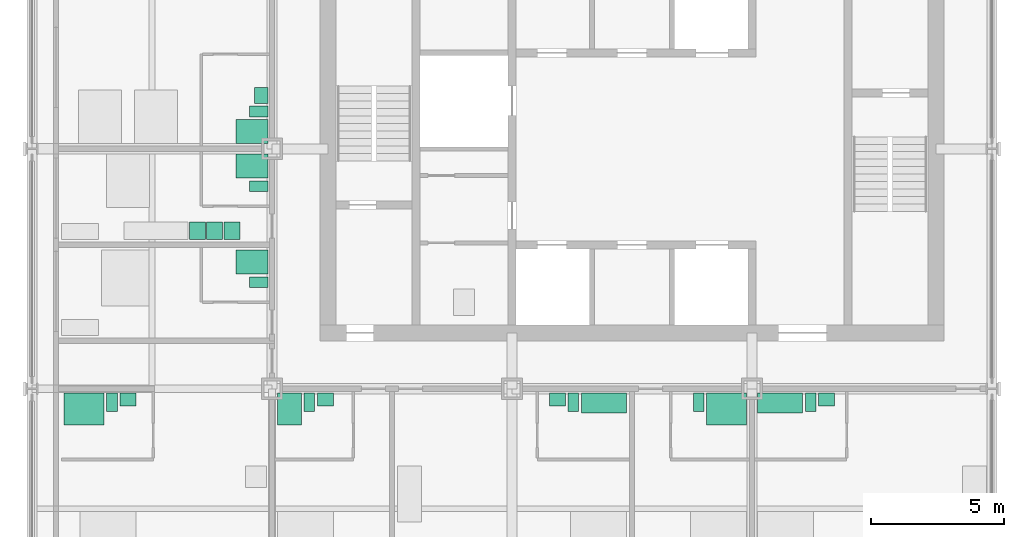
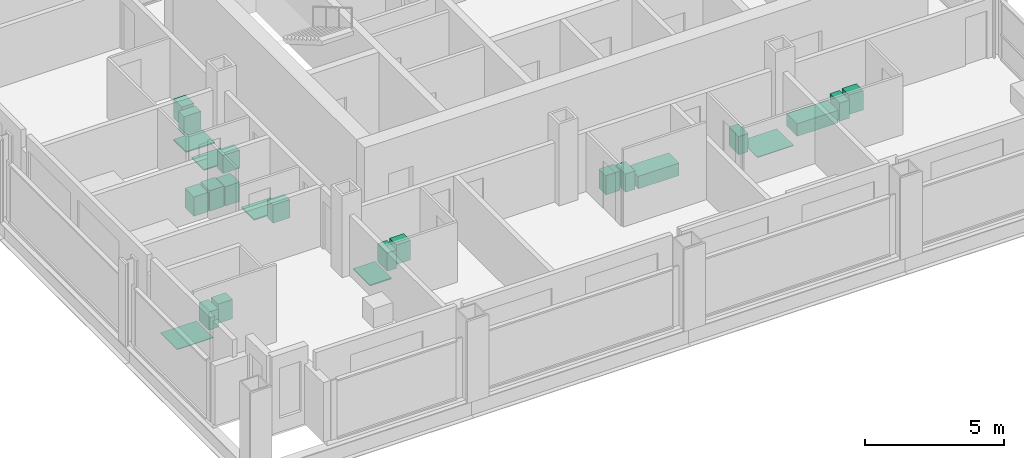
# One storey, part 11 of 12: 21 sanitary terminals, 3 electric appliances.
"""IFC4 building model written with IfcOpenShell, lengths in metres."""

import ifcopenshell
import ifcopenshell.guid

model = None  # the IFC model being written
_history = None  # IfcOwnerHistory: only IFC2X3 demands one
_inside = {}  # id of a spatial element -> (the spatial element, [elements in it])
_under = {}  # id of a project, library or spatial element -> (it, [spatial elements below it])
_declared = {}  # id of a project -> (the project, [libraries it declares])
_typed = {}  # id of a type object -> (the type object, [elements of that type])
_made_of = {}  # id of a material, layer set ... -> (it, [elements and type objects made of it])


def new_model(schema):
    """Start an empty IFC model of exactly this schema.

    Asked for "IFC4X3", IfcOpenShell would pick the latest addendum, in which some entities
    have other attributes; the version numbers below select the first issue.
    IFC2X3 requires an IfcOwnerHistory on every rooted entity: one is made here for all.
    """
    global model, _history
    if schema == "IFC4X3":
        model = ifcopenshell.file(schema_version=(4, 3, 0, 0))
    else:
        model = ifcopenshell.file(schema=schema)
    _inside.clear()
    _under.clear()
    _declared.clear()
    _typed.clear()
    _made_of.clear()
    _history = None
    if model.schema == "IFC2X3":
        org = make("IfcOrganization", Name="unknown")
        user = make(
            "IfcPersonAndOrganization",
            ThePerson=make("IfcPerson", FamilyName="unknown"),
            TheOrganization=org,
        )
        app = make(
            "IfcApplication",
            ApplicationDeveloper=org,
            Version="unknown",
            ApplicationFullName="unknown",
            ApplicationIdentifier="unknown",
        )
        _history = make(
            "IfcOwnerHistory",
            OwningUser=user,
            OwningApplication=app,
            ChangeAction="ADDED",
            CreationDate=0,
        )
    return model


def make(cls, **values):
    """One entity of the class cls with the attributes given. An attribute that is None is left unset."""
    return model.create_entity(
        cls, **{name: value for name, value in values.items() if value is not None}
    )


def rooted(cls, **values):
    """An entity with a GlobalId (a new one), such as an element, a storey or a relation."""
    return make(cls, GlobalId=ifcopenshell.guid.new(), OwnerHistory=_history, **values)


def si_unit(unit_type, name, prefix=None):
    """IfcSIUnit, for example si_unit("LENGTHUNIT", "METRE", prefix="MILLI")."""
    return make("IfcSIUnit", UnitType=unit_type, Prefix=prefix, Name=name)


def assignment(units):
    """IfcUnitAssignment: the units of a project."""
    return None if units is None else make("IfcUnitAssignment", Units=units)


def point(xyz):
    """IfcCartesianPoint."""
    return None if xyz is None else make("IfcCartesianPoint", Coordinates=xyz)


def direction(xyz):
    """IfcDirection."""
    return None if xyz is None else make("IfcDirection", DirectionRatios=xyz)


def frame(location, z_axis=None, x_axis=None):
    """IfcAxis2Placement3D, a coordinate frame: its origin and axes. An axis left out is left unset."""
    return make(
        "IfcAxis2Placement3D",
        Location=point(location),
        Axis=direction(z_axis),
        RefDirection=direction(x_axis),
    )


def frame_2d(location, x_axis=None):
    """IfcAxis2Placement2D, a coordinate frame in the plane: its origin and x axis."""
    return make(
        "IfcAxis2Placement2D", Location=point(location), RefDirection=direction(x_axis)
    )


def origin():
    """The frame at (0, 0, 0) with its axes left unset."""
    return frame((0.0, 0.0, 0.0))


def origin_2d():
    """The frame at (0, 0) in the plane with its x axis left unset."""
    return frame_2d((0.0, 0.0))


def place(relative_to, where):
    """IfcLocalPlacement: puts the frame where relative to a parent placement (None: the world)."""
    return make(
        "IfcLocalPlacement", PlacementRelTo=relative_to, RelativePlacement=where
    )


def context(
    kind, dimensions, precision=None, world=None, true_north=None, identifier=None
):
    """IfcGeometricRepresentationContext, for example the 3D "Model" context."""
    return make(
        "IfcGeometricRepresentationContext",
        ContextIdentifier=identifier,
        ContextType=kind,
        CoordinateSpaceDimension=dimensions,
        Precision=precision,
        WorldCoordinateSystem=world,
        TrueNorth=true_north,
    )


def subcontext(parent, identifier, kind, view, scale=None):
    """IfcGeometricRepresentationSubContext, for example "Body" below "Model"."""
    return make(
        "IfcGeometricRepresentationSubContext",
        ContextIdentifier=identifier,
        ContextType=kind,
        ParentContext=parent,
        TargetScale=scale,
        TargetView=view,
    )


def project(units=None, contexts=None):
    """IfcProject with its units and contexts."""
    return rooted(
        "IfcProject",
        Name="project",
        RepresentationContexts=contexts,
        UnitsInContext=assignment(units),
    )


def spatial(cls, under=None, at=None, **own):
    """A site, building, storey or space (cls), placed at a placement, below another one or the project."""
    s = rooted(cls, ObjectPlacement=at, **own)
    if under is not None:
        _under.setdefault(under.id(), (under, []))[1].append(s)
    return s


def profile(cls, at=None, kind="AREA", **sizes):
    """A parametric profile (cls). Its sizes go by their IFC names, for example OverallWidth=200.0."""
    return make(cls, ProfileType=kind, Position=at, **sizes)


def rectangle(**sizes):
    """IfcRectangleProfileDef."""
    return profile("IfcRectangleProfileDef", **sizes)


def extrude(swept, where, along, depth):
    """IfcExtrudedAreaSolid: the profile swept, set in the frame where, extruded along a direction by depth."""
    return make(
        "IfcExtrudedAreaSolid",
        SweptArea=swept,
        Position=where,
        ExtrudedDirection=direction(along),
        Depth=depth,
    )


def shape(context_of_items, identifier, shape_type, items):
    """IfcShapeRepresentation: the items that make up one representation, for example the "Body"."""
    return make(
        "IfcShapeRepresentation",
        ContextOfItems=context_of_items,
        RepresentationIdentifier=identifier,
        RepresentationType=shape_type,
        Items=items,
    )


def made_of(thing, what):
    """Note that an element or type object is made of a material, layer set ...; save() writes the relation."""
    if what is not None:
        _made_of.setdefault(what.id(), (what, []))[1].append(thing)
    return thing


def element(
    cls,
    number,
    at=None,
    inside=None,
    cuts=None,
    type_object=None,
    material=None,
    context=None,
    identifier="Body",
    shape_type=None,
    held_by="IfcProductDefinitionShape",
    body=None,
    shapes=None,
    **own,
):
    """One element of the class cls, such as IfcWall. Its Tag is "e" and its number.

    at: its placement. inside: the storey or other place that contains it. cuts: it is an
    opening in that element (IfcRelVoidsElement). A single representation is given by context,
    identifier, shape_type and body (its items); several are given by shapes. held_by: the class
    of the entity that holds the representations. save() writes the other relations.
    """
    e = rooted(cls, Tag="e%d" % number, ObjectPlacement=at, **own)
    if body is not None:
        shapes = [shape(context, identifier, shape_type, body)]
    if shapes is not None:
        e.Representation = make(held_by, Representations=shapes)
    if inside is not None:
        _inside.setdefault(inside.id(), (inside, []))[1].append(e)
    if cuts is not None:
        rooted(
            "IfcRelVoidsElement", RelatingBuildingElement=cuts, RelatedOpeningElement=e
        )
    if type_object is not None:
        _typed.setdefault(type_object.id(), (type_object, []))[1].append(e)
    return made_of(e, material)


def aggregate(whole, parts):
    """IfcRelAggregates: a whole, such as a stair, and the parts it consists of."""
    return rooted("IfcRelAggregates", RelatingObject=whole, RelatedObjects=parts)


def save(model, path):
    """Write the relations noted so far, then the file.

    IfcRelAggregates (storeys below a building ...), IfcRelContainedInSpatialStructure (elements
    in a storey), IfcRelDefinesByType, IfcRelAssociatesMaterial and IfcRelDeclares: one each for
    every whole, place, type object, material and project.
    """
    for whole, parts in _under.values():
        aggregate(whole, parts)
    for where, things in _inside.values():
        rooted(
            "IfcRelContainedInSpatialStructure",
            RelatedElements=things,
            RelatingStructure=where,
        )
    for kind, things in _typed.values():
        rooted("IfcRelDefinesByType", RelatedObjects=things, RelatingType=kind)
    for what, things in _made_of.values():
        rooted("IfcRelAssociatesMaterial", RelatedObjects=things, RelatingMaterial=what)
    for by, libraries in _declared.values():
        rooted("IfcRelDeclares", RelatingContext=by, RelatedDefinitions=libraries)
    model.write(path)


model = new_model("IFC4")

# Units and contexts
model_context = context("Model", 3, precision=1e-05, world=origin(), true_north=direction((0.0, 1.0)))
body_context = subcontext(model_context, "Body", "Model", "MODEL_VIEW")
ifc_project = project(units=[si_unit("LENGTHUNIT", "METRE"), si_unit("AREAUNIT", "SQUARE_METRE"), si_unit("VOLUMEUNIT", "CUBIC_METRE"), si_unit("PLANEANGLEUNIT", "RADIAN"), si_unit("MASSUNIT", "GRAM", prefix="KILO")], contexts=[model_context])

# Site, building, storey
site_placement = place(None, origin())
site = spatial("IfcSite", under=ifc_project, at=site_placement, CompositionType="ELEMENT")
building_placement = place(site_placement, origin())
building = spatial("IfcBuilding", under=site, at=building_placement, Name="Loomwork Tower", CompositionType="ELEMENT")
storey_placement = place(building_placement, frame((0.0, 0.0, 230.199951171875)))
storey = spatial("IfcBuildingStorey", under=building, at=storey_placement, Name="L63", CompositionType="ELEMENT", Elevation=230.199951171875)

# Sanitary terminals
sanitary_terminal_1_placement = place(storey_placement, frame((1.949951171875, 8.25, 0.0), z_axis=(0.0, 0.0, 1.0), x_axis=(1.0, 0.0, 0.0)))
element("IfcSanitaryTerminal", 1, at=sanitary_terminal_1_placement, inside=storey, Name="Roll-in shower floor L63", PredefinedType="SHOWER", context=body_context, shape_type="SweptSolid", body=[
    extrude(rectangle(XDim=1.5, YDim=1.199951171875, at=origin_2d()), origin(), (0.0, 0.0, 1.0), 0.030029296875),
])
sanitary_terminal_2_placement = place(storey_placement, frame((3.0, 8.5, 0.0), z_axis=(0.0, 0.0, 1.0), x_axis=(1.0, 0.0, 0.0)))
element("IfcSanitaryTerminal", 2, at=sanitary_terminal_2_placement, inside=storey, Name="WC L63", PredefinedType="TOILETPAN", context=body_context, shape_type="SweptSolid", body=[
    extrude(rectangle(XDim=0.39990234375, YDim=0.699951171875, at=origin_2d()), origin(), (0.0, 0.0, 1.0), 0.800048828125),
])
sanitary_terminal_3_placement = place(storey_placement, frame((3.60009765625, 8.60009765625, 0.0), z_axis=(0.0, 0.0, 1.0), x_axis=(1.0, 0.0, 0.0)))
element("IfcSanitaryTerminal", 3, at=sanitary_terminal_3_placement, inside=storey, Name="Basin vanity L63", PredefinedType="WASHHANDBASIN", context=body_context, shape_type="SweptSolid", body=[
    extrude(rectangle(XDim=0.60009765625, YDim=0.5, at=origin_2d()), origin(), (0.0, 0.0, 1.0), 0.85009765625),
])
sanitary_terminal_4_placement = place(storey_placement, frame((9.64990234375, 8.25, 0.0), z_axis=(0.0, 0.0, 1.0), x_axis=(1.0, 0.0, 0.0)))
element("IfcSanitaryTerminal", 4, at=sanitary_terminal_4_placement, inside=storey, Name="Shower tray L63", PredefinedType="SHOWER", context=body_context, shape_type="SweptSolid", body=[
    extrude(rectangle(XDim=0.89990234375, YDim=1.199951171875, at=origin_2d()), origin(), (0.0, 0.0, 1.0), 0.050048828125),
])
sanitary_terminal_5_placement = place(storey_placement, frame((10.39990234375, 8.5, 0.0), z_axis=(0.0, 0.0, 1.0), x_axis=(1.0, 0.0, 0.0)))
element("IfcSanitaryTerminal", 5, at=sanitary_terminal_5_placement, inside=storey, Name="WC L63", PredefinedType="TOILETPAN", context=body_context, shape_type="SweptSolid", body=[
    extrude(rectangle(XDim=0.39990234375, YDim=0.699951171875, at=origin_2d()), origin(), (0.0, 0.0, 1.0), 0.800048828125),
])
sanitary_terminal_6_placement = place(storey_placement, frame((11.0, 8.60009765625, 0.0), z_axis=(0.0, 0.0, 1.0), x_axis=(1.0, 0.0, 0.0)))
element("IfcSanitaryTerminal", 6, at=sanitary_terminal_6_placement, inside=storey, Name="Basin vanity L63", PredefinedType="WASHHANDBASIN", context=body_context, shape_type="SweptSolid", body=[
    extrude(rectangle(XDim=0.60009765625, YDim=0.5, at=origin_2d()), origin(), (0.0, 0.0, 1.0), 0.85009765625),
])
sanitary_terminal_7_placement = place(storey_placement, frame((21.449951171875, 8.47509765625, 0.0), z_axis=(0.0, 0.0, 1.0), x_axis=(1.0, 0.0, 0.0)))
element("IfcSanitaryTerminal", 7, at=sanitary_terminal_7_placement, inside=storey, Name="Bath L63", PredefinedType="BATH", context=body_context, shape_type="SweptSolid", body=[
    extrude(rectangle(XDim=1.699951171875, YDim=0.75, at=origin_2d()), origin(), (0.0, 0.0, 1.0), 0.550048828125),
])
sanitary_terminal_8_placement = place(storey_placement, frame((20.300048828125, 8.5, 0.0), z_axis=(0.0, 0.0, 1.0), x_axis=(1.0, 0.0, 0.0)))
element("IfcSanitaryTerminal", 8, at=sanitary_terminal_8_placement, inside=storey, Name="WC L63", PredefinedType="TOILETPAN", context=body_context, shape_type="SweptSolid", body=[
    extrude(rectangle(XDim=0.39990234375, YDim=0.699951171875, at=origin_2d()), origin(), (0.0, 0.0, 1.0), 0.800048828125),
])
sanitary_terminal_9_placement = place(storey_placement, frame((19.699951171875, 8.60009765625, 0.0), z_axis=(0.0, 0.0, 1.0), x_axis=(1.0, 0.0, 0.0)))
element("IfcSanitaryTerminal", 9, at=sanitary_terminal_9_placement, inside=storey, Name="Basin vanity L63", PredefinedType="WASHHANDBASIN", context=body_context, shape_type="SweptSolid", body=[
    extrude(rectangle(XDim=0.60009765625, YDim=0.5, at=origin_2d()), origin(), (0.0, 0.0, 1.0), 0.85009765625),
])
sanitary_terminal_10_placement = place(storey_placement, frame((26.050048828125, 8.25, 0.0), z_axis=(0.0, 0.0, 1.0), x_axis=(1.0, 0.0, 0.0)))
element("IfcSanitaryTerminal", 10, at=sanitary_terminal_10_placement, inside=storey, Name="Roll-in shower floor L63", PredefinedType="SHOWER", context=body_context, shape_type="SweptSolid", body=[
    extrude(rectangle(XDim=1.5, YDim=1.199951171875, at=origin_2d()), origin(), (0.0, 0.0, 1.0), 0.030029296875),
])
sanitary_terminal_11_placement = place(storey_placement, frame((25.0, 8.5, 0.0), z_axis=(0.0, 0.0, 1.0), x_axis=(1.0, 0.0, 0.0)))
element("IfcSanitaryTerminal", 11, at=sanitary_terminal_11_placement, inside=storey, Name="WC L63", PredefinedType="TOILETPAN", context=body_context, shape_type="SweptSolid", body=[
    extrude(rectangle(XDim=0.39990234375, YDim=0.699951171875, at=origin_2d()), origin(), (0.0, 0.0, 1.0), 0.800048828125),
])
sanitary_terminal_12_placement = place(storey_placement, frame((28.050048828125, 8.47509765625, 0.0), z_axis=(0.0, 0.0, 1.0), x_axis=(1.0, 0.0, 0.0)))
element("IfcSanitaryTerminal", 12, at=sanitary_terminal_12_placement, inside=storey, Name="Bath L63", PredefinedType="BATH", context=body_context, shape_type="SweptSolid", body=[
    extrude(rectangle(XDim=1.699951171875, YDim=0.75, at=origin_2d()), origin(), (0.0, 0.0, 1.0), 0.550048828125),
])
sanitary_terminal_13_placement = place(storey_placement, frame((29.199951171875, 8.5, 0.0), z_axis=(0.0, 0.0, 1.0), x_axis=(1.0, 0.0, 0.0)))
element("IfcSanitaryTerminal", 13, at=sanitary_terminal_13_placement, inside=storey, Name="WC L63", PredefinedType="TOILETPAN", context=body_context, shape_type="SweptSolid", body=[
    extrude(rectangle(XDim=0.39990234375, YDim=0.699951171875, at=origin_2d()), origin(), (0.0, 0.0, 1.0), 0.800048828125),
])
sanitary_terminal_14_placement = place(storey_placement, frame((29.800048828125, 8.60009765625, 0.0), z_axis=(0.0, 0.0, 1.0), x_axis=(1.0, 0.0, 0.0)))
element("IfcSanitaryTerminal", 14, at=sanitary_terminal_14_placement, inside=storey, Name="Basin vanity L63", PredefinedType="WASHHANDBASIN", context=body_context, shape_type="SweptSolid", body=[
    extrude(rectangle(XDim=0.60009765625, YDim=0.5, at=origin_2d()), origin(), (0.0, 0.0, 1.0), 0.85009765625),
])
sanitary_terminal_15_placement = place(storey_placement, frame((8.25, 13.75, 0.0), z_axis=(0.0, 0.0, 1.0), x_axis=(1.0, 0.0, 0.0)))
element("IfcSanitaryTerminal", 15, at=sanitary_terminal_15_placement, inside=storey, Name="Shower tray L63", PredefinedType="SHOWER", context=body_context, shape_type="SweptSolid", body=[
    extrude(rectangle(XDim=1.199951171875, YDim=0.89990234375, at=origin_2d()), origin(), (0.0, 0.0, 1.0), 0.050048828125),
])
sanitary_terminal_16_placement = place(storey_placement, frame((8.5, 13.0, 0.0), z_axis=(0.0, 0.0, 1.0), x_axis=(1.0, 0.0, 0.0)))
element("IfcSanitaryTerminal", 16, at=sanitary_terminal_16_placement, inside=storey, Name="WC L63", PredefinedType="TOILETPAN", context=body_context, shape_type="SweptSolid", body=[
    extrude(rectangle(XDim=0.699951171875, YDim=0.39990234375, at=origin_2d()), origin(), (0.0, 0.0, 1.0), 0.800048828125),
])
sanitary_terminal_17_placement = place(storey_placement, frame((8.25, 17.35009765625, 0.0), z_axis=(0.0, 0.0, 1.0), x_axis=(1.0, 0.0, 0.0)))
element("IfcSanitaryTerminal", 17, at=sanitary_terminal_17_placement, inside=storey, Name="Shower tray L63", PredefinedType="SHOWER", context=body_context, shape_type="SweptSolid", body=[
    extrude(rectangle(XDim=1.199951171875, YDim=0.89990234375, at=origin_2d()), origin(), (0.0, 0.0, 1.0), 0.050048828125),
])
sanitary_terminal_18_placement = place(storey_placement, frame((8.5, 16.60009765625, 0.0), z_axis=(0.0, 0.0, 1.0), x_axis=(1.0, 0.0, 0.0)))
element("IfcSanitaryTerminal", 18, at=sanitary_terminal_18_placement, inside=storey, Name="WC L63", PredefinedType="TOILETPAN", context=body_context, shape_type="SweptSolid", body=[
    extrude(rectangle(XDim=0.699951171875, YDim=0.39990234375, at=origin_2d()), origin(), (0.0, 0.0, 1.0), 0.800048828125),
])

# Electric appliances
electric_appliance_1_placement = place(storey_placement, frame((7.5, 14.925048828125, 0.0), z_axis=(0.0, 0.0, 1.0), x_axis=(1.0, 0.0, 0.0)))
element("IfcElectricAppliance", 19, at=electric_appliance_1_placement, inside=storey, Name="Refrigerator L63", PredefinedType="REFRIGERATOR", context=body_context, shape_type="SweptSolid", body=[
    extrude(rectangle(XDim=0.60009765625, YDim=0.64990234375, at=origin_2d()), origin(), (0.0, 0.0, 1.0), 0.85009765625),
])
electric_appliance_2_placement = place(storey_placement, frame((6.85009765625, 14.925048828125, 0.0), z_axis=(0.0, 0.0, 1.0), x_axis=(1.0, 0.0, 0.0)))
element("IfcElectricAppliance", 20, at=electric_appliance_2_placement, inside=storey, Name="Two-ring cooktop and oven L63", PredefinedType="ELECTRICCOOKER", context=body_context, shape_type="SweptSolid", body=[
    extrude(rectangle(XDim=0.60009765625, YDim=0.64990234375, at=origin_2d()), origin(), (0.0, 0.0, 1.0), 0.89990234375),
])
electric_appliance_3_placement = place(storey_placement, frame((6.199951171875, 14.925048828125, 0.0), z_axis=(0.0, 0.0, 1.0), x_axis=(1.0, 0.0, 0.0)))
element("IfcElectricAppliance", 21, at=electric_appliance_3_placement, inside=storey, Name="Dishwasher L63", PredefinedType="DISHWASHER", context=body_context, shape_type="SweptSolid", body=[
    extrude(rectangle(XDim=0.60009765625, YDim=0.64990234375, at=origin_2d()), origin(), (0.0, 0.0, 1.0), 0.85009765625),
])

# Sanitary terminals
sanitary_terminal_19_placement = place(storey_placement, frame((8.25, 18.64990234375, 0.0), z_axis=(0.0, 0.0, 1.0), x_axis=(1.0, 0.0, 0.0)))
element("IfcSanitaryTerminal", 22, at=sanitary_terminal_19_placement, inside=storey, Name="Shower tray L63", PredefinedType="SHOWER", context=body_context, shape_type="SweptSolid", body=[
    extrude(rectangle(XDim=1.199951171875, YDim=0.89990234375, at=origin_2d()), origin(), (0.0, 0.0, 1.0), 0.050048828125),
])
sanitary_terminal_20_placement = place(storey_placement, frame((8.5, 19.39990234375, 0.0), z_axis=(0.0, 0.0, 1.0), x_axis=(1.0, 0.0, 0.0)))
element("IfcSanitaryTerminal", 23, at=sanitary_terminal_20_placement, inside=storey, Name="WC L63", PredefinedType="TOILETPAN", context=body_context, shape_type="SweptSolid", body=[
    extrude(rectangle(XDim=0.699951171875, YDim=0.39990234375, at=origin_2d()), origin(), (0.0, 0.0, 1.0), 0.800048828125),
])
sanitary_terminal_21_placement = place(storey_placement, frame((8.60009765625, 20.0, 0.0), z_axis=(0.0, 0.0, 1.0), x_axis=(1.0, 0.0, 0.0)))
element("IfcSanitaryTerminal", 24, at=sanitary_terminal_21_placement, inside=storey, Name="Basin vanity L63", PredefinedType="WASHHANDBASIN", context=body_context, shape_type="SweptSolid", body=[
    extrude(rectangle(XDim=0.5, YDim=0.60009765625, at=origin_2d()), origin(), (0.0, 0.0, 1.0), 0.85009765625),
])

save(model, "model.ifc")
